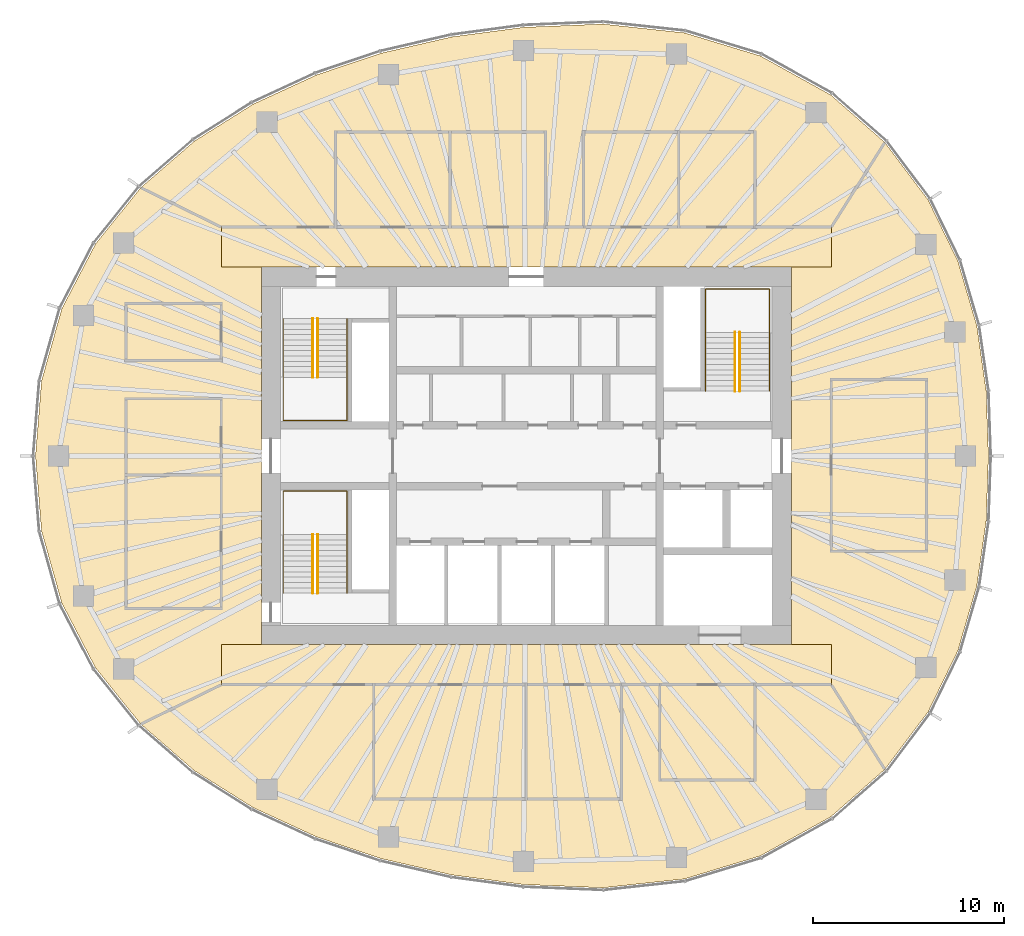
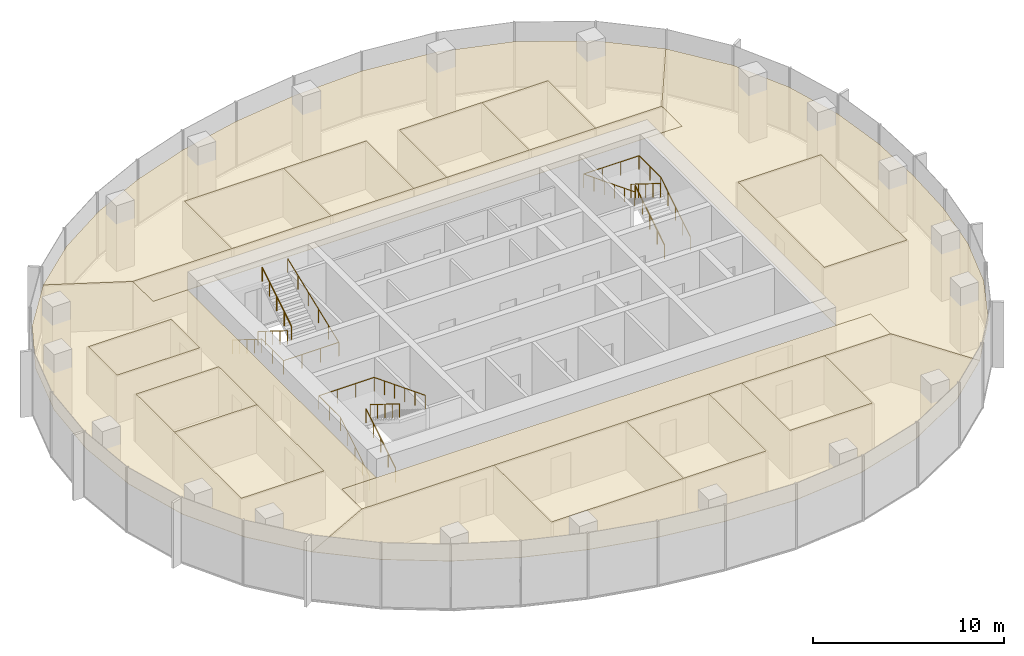
# One storey, part 11 of 11: 17 coverings, 9 railings.
"""IFC4 building model written with IfcOpenShell, lengths in metres."""

from ifc_helpers import new_model, si_unit, direction, frame, origin, origin_2d, place, context, subcontext, project, spatial, polyline, circle, outline, extrude, material, layer, layer_set, type_object, element, save


model = new_model("IFC4")

# Units and contexts
model_context = context("Model", 3, precision=1e-05, world=origin(), true_north=direction((0.0, 1.0)))
body_context = subcontext(model_context, "Body", "Model", "MODEL_VIEW")
ifc_project = project(units=[si_unit("LENGTHUNIT", "METRE"), si_unit("AREAUNIT", "SQUARE_METRE"), si_unit("VOLUMEUNIT", "CUBIC_METRE"), si_unit("PLANEANGLEUNIT", "RADIAN"), si_unit("MASSUNIT", "GRAM", prefix="KILO")], contexts=[model_context])

# Site, building, storey
site_placement = place(None, origin())
site = spatial("IfcSite", under=ifc_project, at=site_placement, CompositionType="ELEMENT")
building_placement = place(site_placement, origin())
building = spatial("IfcBuilding", under=site, at=building_placement, Name="Ghaith Harvest Tower", CompositionType="ELEMENT")
storey_placement = place(building_placement, frame((0.0, 0.0, 283.800048828125)))
storey = spatial("IfcBuildingStorey", under=building, at=storey_placement, Name="L63", CompositionType="ELEMENT", Elevation=283.800048828125)

# Coverings
ifc_material_1 = material(Name="Mineral fibre ceiling tile", Category="gypsum")
ifc_layer = layer(ifc_material_1, 0.02490234375)
ifc_layer_set = layer_set([ifc_layer], Name="CEILING C2")
covering_type = type_object("IfcCoveringType", Name="CEILING C2", PredefinedType="CEILING", material=ifc_layer_set)
covering_1_placement = place(storey_placement, frame((0.0, 0.0, 3.0)))
element("IfcCovering", 1, at=covering_1_placement, inside=storey, type_object=covering_type, Name="Ceiling L63-01", PredefinedType="CEILING", context=body_context, shape_type="SweptSolid", body=[
    extrude(outline(polyline([(-8.0, -18.0), (0.0, -18.0), (0.0, -12.0), (-8.0, -12.0), (-8.0, -18.0)])), origin(), (0.0, 0.0, 1.0), 0.02490234375),
])
covering_2_placement = place(storey_placement, frame((0.0, 0.0, 3.0)))
element("IfcCovering", 2, at=covering_2_placement, inside=storey, type_object=covering_type, Name="Ceiling L63-02", PredefinedType="CEILING", context=body_context, shape_type="SweptSolid", body=[
    extrude(outline(polyline([(0.0, -18.0), (5.0, -18.0), (5.0, -12.0), (0.0, -12.0), (0.0, -18.0)])), origin(), (0.0, 0.0, 1.0), 0.02490234375),
])
covering_3_placement = place(storey_placement, frame((0.0, 0.0, 3.0)))
element("IfcCovering", 3, at=covering_3_placement, inside=storey, type_object=covering_type, Name="Ceiling L63-03", PredefinedType="CEILING", context=body_context, shape_type="SweptSolid", body=[
    extrude(outline(polyline([(7.0, -17.0), (12.0, -17.0), (12.0, -12.0), (7.0, -12.0), (7.0, -17.0)])), origin(), (0.0, 0.0, 1.0), 0.02490234375),
])
covering_4_placement = place(storey_placement, frame((0.0, 0.0, 3.0)))
element("IfcCovering", 4, at=covering_4_placement, inside=storey, type_object=covering_type, Name="Ceiling L63-04", PredefinedType="CEILING", context=body_context, shape_type="SweptSolid", body=[
    extrude(outline(polyline([(-21.0, -8.0), (-16.0, -8.0), (-16.0, -1.0), (-21.0, -1.0), (-21.0, -8.0)])), origin(), (0.0, 0.0, 1.0), 0.02490234375),
])
covering_5_placement = place(storey_placement, frame((0.0, 0.0, 3.0)))
element("IfcCovering", 5, at=covering_5_placement, inside=storey, type_object=covering_type, Name="Ceiling L63-05", PredefinedType="CEILING", context=body_context, shape_type="SweptSolid", body=[
    extrude(outline(polyline([(-21.0, -1.0), (-16.0, -1.0), (-16.0, 3.0), (-21.0, 3.0), (-21.0, -1.0)])), origin(), (0.0, 0.0, 1.0), 0.02490234375),
])
covering_6_placement = place(storey_placement, frame((0.0, 0.0, 3.0)))
element("IfcCovering", 6, at=covering_6_placement, inside=storey, type_object=covering_type, Name="Ceiling L63-06", PredefinedType="CEILING", context=body_context, shape_type="SweptSolid", body=[
    extrude(outline(polyline([(-10.0, 12.0), (-4.0, 12.0), (-4.0, 17.0), (-10.0, 17.0), (-10.0, 12.0)])), origin(), (0.0, 0.0, 1.0), 0.02490234375),
])
covering_7_placement = place(storey_placement, frame((0.0, 0.0, 3.0)))
element("IfcCovering", 7, at=covering_7_placement, inside=storey, type_object=covering_type, Name="Ceiling L63-07", PredefinedType="CEILING", context=body_context, shape_type="SweptSolid", body=[
    extrude(outline(polyline([(-4.0, 12.0), (1.0, 12.0), (1.0, 17.0), (-4.0, 17.0), (-4.0, 12.0)])), origin(), (0.0, 0.0, 1.0), 0.02490234375),
])
covering_8_placement = place(storey_placement, frame((0.0, 0.0, 3.0)))
element("IfcCovering", 8, at=covering_8_placement, inside=storey, type_object=covering_type, Name="Ceiling L63-08", PredefinedType="CEILING", context=body_context, shape_type="SweptSolid", body=[
    extrude(outline(polyline([(3.0, 12.0), (8.0, 12.0), (8.0, 17.0), (3.0, 17.0), (3.0, 12.0)])), origin(), (0.0, 0.0, 1.0), 0.02490234375),
])
covering_9_placement = place(storey_placement, frame((0.0, 0.0, 3.0)))
element("IfcCovering", 9, at=covering_9_placement, inside=storey, type_object=covering_type, Name="Ceiling L63-09", PredefinedType="CEILING", context=body_context, shape_type="SweptSolid", body=[
    extrude(outline(polyline([(8.0, 12.0), (12.0, 12.0), (12.0, 17.0), (8.0, 17.0), (8.0, 12.0)])), origin(), (0.0, 0.0, 1.0), 0.02490234375),
])
covering_10_placement = place(storey_placement, frame((0.0, 0.0, 3.0)))
element("IfcCovering", 10, at=covering_10_placement, inside=storey, type_object=covering_type, Name="Ceiling L63-10", PredefinedType="CEILING", context=body_context, shape_type="SweptSolid", body=[
    extrude(outline(polyline([(16.0, -5.0), (21.0, -5.0), (21.0, 4.0), (16.0, 4.0), (16.0, -5.0)])), origin(), (0.0, 0.0, 1.0), 0.02490234375),
])
covering_11_placement = place(storey_placement, frame((0.0, 0.0, 3.0)))
element("IfcCovering", 11, at=covering_11_placement, inside=storey, type_object=covering_type, Name="Ceiling L63-11", PredefinedType="CEILING", context=body_context, shape_type="SweptSolid", body=[
    extrude(outline(polyline([(-21.0, 5.0), (-16.0, 5.0), (-16.0, 8.0), (-21.0, 8.0), (-21.0, 5.0)])), origin(), (0.0, 0.0, 1.0), 0.02490234375),
])
covering_12_placement = place(storey_placement, frame((0.0, 0.0, 3.0)))
element("IfcCovering", 12, at=covering_12_placement, inside=storey, type_object=covering_type, Name="Ceiling L63-C1", PredefinedType="CEILING", context=body_context, shape_type="SweptSolid", body=[
    extrude(outline(polyline([(16.0, 9.89990234375), (-16.0, 9.89990234375), (-16.0, 12.0), (16.0, 12.0), (16.0, 9.89990234375)])), origin(), (0.0, 0.0, 1.0), 0.02490234375),
])
covering_13_placement = place(storey_placement, frame((0.0, 0.0, 3.0)))
element("IfcCovering", 13, at=covering_13_placement, inside=storey, type_object=covering_type, Name="Ceiling L63-C2", PredefinedType="CEILING", context=body_context, shape_type="SweptSolid", body=[
    extrude(outline(polyline([(-16.0, -9.89990234375), (16.0, -9.89990234375), (16.0, -12.0), (-16.0, -12.0), (-16.0, -9.89990234375)])), origin(), (0.0, 0.0, 1.0), 0.02490234375),
])
covering_14_placement = place(storey_placement, frame((0.0, 0.0, 3.0)))
element("IfcCovering", 14, at=covering_14_placement, inside=storey, type_object=covering_type, Name="Ceiling L63-N1", PredefinedType="CEILING", context=body_context, shape_type="SweptSolid", body=[
    extrude(outline(polyline([(-17.40771484375, 16.518310546875), (-14.331298828125, 18.452880859375), (-11.009521484375, 19.98779296875), (-7.6298828125, 21.12548828125), (-3.92529296875, 21.98046875), (-0.15380859375, 22.486083984375), (4.016845703125, 22.658447265625), (8.2978515625, 22.1962890625), (12.273681640625, 20.98828125), (15.971923828125, 18.940185546875), (18.810791015625, 16.4482421875), (16.0, 12.0), (12.0, 12.0), (12.0, 17.0), (3.0, 17.0), (3.0, 12.0), (1.0, 12.0), (1.0, 17.0), (-10.0, 17.0), (-10.0, 12.0), (-16.0, 12.0), (-20.225830078125, 14.0732421875), (-17.40771484375, 16.518310546875)])), origin(), (0.0, 0.0, 1.0), 0.02490234375),
])
covering_15_placement = place(storey_placement, frame((0.0, 0.0, 3.0)))
element("IfcCovering", 15, at=covering_15_placement, inside=storey, type_object=covering_type, Name="Ceiling L63-E1", PredefinedType="CEILING", context=body_context, shape_type="SweptSolid", body=[
    extrude(outline(polyline([(21.087890625, 13.42041015625), (22.644775390625, 10.222900390625), (23.6376953125, 6.831787109375), (24.129150390625, 3.4169921875), (24.25, 0.0), (24.129150390625, -3.4169921875), (23.6376953125, -6.831787109375), (22.644775390625, -10.222900390625), (21.087890625, -13.42041015625), (18.810791015625, -16.4482421875), (16.0, -12.0), (16.0, -9.89990234375), (13.89990234375, -9.89990234375), (13.89990234375, 9.89990234375), (16.0, 9.89990234375), (16.0, 12.0), (18.810791015625, 16.4482421875), (21.087890625, 13.42041015625)]), holes=[polyline([(16.0, -5.0), (21.0, -5.0), (21.0, 4.0), (16.0, 4.0), (16.0, -5.0)])]), origin(), (0.0, 0.0, 1.0), 0.02490234375),
])
covering_16_placement = place(storey_placement, frame((0.0, 0.0, 3.0)))
element("IfcCovering", 16, at=covering_16_placement, inside=storey, type_object=covering_type, Name="Ceiling L63-S1", PredefinedType="CEILING", context=body_context, shape_type="SweptSolid", body=[
    extrude(outline(polyline([(-14.331298828125, -18.452880859375), (-17.40771484375, -16.518310546875), (-20.225830078125, -14.0732421875), (-16.0, -12.0), (-8.0, -12.0), (-8.0, -18.0), (5.0, -18.0), (5.0, -12.0), (7.0, -12.0), (7.0, -17.0), (12.0, -17.0), (12.0, -12.0), (16.0, -12.0), (18.810791015625, -16.4482421875), (15.971923828125, -18.940185546875), (12.273681640625, -20.98828125), (8.2978515625, -22.1962890625), (4.016845703125, -22.658447265625), (-0.15380859375, -22.486083984375), (-3.92529296875, -21.98046875), (-7.6298828125, -21.12548828125), (-11.009521484375, -19.98779296875), (-14.331298828125, -18.452880859375)])), origin(), (0.0, 0.0, 1.0), 0.02490234375),
])
covering_17_placement = place(storey_placement, frame((0.0, 0.0, 3.0)))
element("IfcCovering", 17, at=covering_17_placement, inside=storey, type_object=covering_type, Name="Ceiling L63-W1", PredefinedType="CEILING", context=body_context, shape_type="SweptSolid", body=[
    extrude(outline(polyline([(-22.5986328125, -11.12353515625), (-24.368408203125, -7.722900390625), (-25.43310546875, -3.93359375), (-25.75, 0.0), (-25.43310546875, 3.93359375), (-24.368408203125, 7.722900390625), (-22.5986328125, 11.12353515625), (-20.225830078125, 14.0732421875), (-16.0, 12.0), (-16.0, 9.89990234375), (-13.89990234375, 9.89990234375), (-13.89990234375, -9.89990234375), (-16.0, -9.89990234375), (-16.0, -12.0), (-20.225830078125, -14.0732421875), (-22.5986328125, -11.12353515625)]), holes=[polyline([(-21.0, 3.0), (-21.0, -8.0), (-16.0, -8.0), (-16.0, 3.0), (-21.0, 3.0)]), polyline([(-21.0, 8.0), (-21.0, 5.0), (-16.0, 5.0), (-16.0, 8.0), (-21.0, 8.0)])]), origin(), (0.0, 0.0, 1.0), 0.02490234375),
])

# Railings
ifc_material_2 = material(Name="Steel, black powder-coated", Category="steel")
railing_type = type_object("IfcRailingType", Name="HANDRAIL HR1", PredefinedType="HANDRAIL", material=ifc_material_2)
railing_1_placement = place(storey_placement, frame((-11.199951171875, 7.199951171875, 0.175048828125)))
element("IfcRailing", 18, at=railing_1_placement, inside=storey, type_object=railing_type, Name="Handrail HR1 stair ST1 L63 flight 1 inner", PredefinedType="HANDRAIL", context=body_context, shape_type="SweptSolid", body=[
    extrude(circle(Radius=0.02392578125, at=origin_2d()), frame((0.0, 0.0, 0.8759765625), z_axis=(0.0, -0.848009633417, 0.529980812513), x_axis=(1.0, 0.0, 0.0)), (0.0, 0.0, 1.0), 3.6318359375),
    extrude(circle(Radius=0.02099609375, at=origin_2d()), origin(), (0.0, 0.0, 1.0), 0.851806640625),
    extrude(circle(Radius=0.02099609375, at=origin_2d()), frame((0.0, -0.77001953125, 0.481201171875)), (0.0, 0.0, 1.0), 0.851806640625),
    extrude(circle(Radius=0.02099609375, at=origin_2d()), frame((0.0, -1.5400390625, 0.96240234375)), (0.0, 0.0, 1.0), 0.851806640625),
    extrude(circle(Radius=0.02099609375, at=origin_2d()), frame((0.0, -2.309814453125, 1.443603515625)), (0.0, 0.0, 1.0), 0.851806640625),
    extrude(circle(Radius=0.02099609375, at=origin_2d()), frame((0.0, -3.079833984375, 1.9248046875)), (0.0, 0.0, 1.0), 0.851806640625),
])
railing_2_placement = place(storey_placement, frame((-10.949951171875, 4.1201171875, 2.27490234375)))
element("IfcRailing", 19, at=railing_2_placement, inside=storey, type_object=railing_type, Name="Handrail HR1 stair ST1 L63 flight 2 inner", PredefinedType="HANDRAIL", context=body_context, shape_type="SweptSolid", body=[
    extrude(circle(Radius=0.02392578125, at=origin_2d()), frame((0.0, 0.0, 0.8759765625), z_axis=(0.0, 0.847979421464, 0.530029150871), x_axis=(-1.0, 0.0, 0.0)), (0.0, 0.0, 1.0), 3.632080078125),
    extrude(circle(Radius=0.02099609375, at=origin_2d()), origin(), (0.0, 0.0, 1.0), 0.851806640625),
    extrude(circle(Radius=0.02099609375, at=origin_2d()), frame((0.0, 0.77001953125, 0.481201171875)), (0.0, 0.0, 1.0), 0.851806640625),
    extrude(circle(Radius=0.02099609375, at=origin_2d()), frame((0.0, 1.5400390625, 0.96240234375)), (0.0, 0.0, 1.0), 0.851806640625),
    extrude(circle(Radius=0.02099609375, at=origin_2d()), frame((0.0, 2.309814453125, 1.44384765625)), (0.0, 0.0, 1.0), 0.851806640625),
    extrude(circle(Radius=0.02099609375, at=origin_2d()), frame((0.0, 3.079833984375, 1.925048828125)), (0.0, 0.0, 1.0), 0.851806640625),
])
railing_3_placement = place(storey_placement, frame((-12.75, 7.199951171875, 0.175048828125)))
element("IfcRailing", 20, at=railing_3_placement, inside=storey, type_object=railing_type, Name="Handrail HR1 stair ST1 L63 wall side", PredefinedType="HANDRAIL", context=body_context, shape_type="SweptSolid", body=[
    extrude(circle(Radius=0.02392578125, at=origin_2d()), frame((0.0, 0.0, 0.8759765625), z_axis=(0.0, -0.848009633417, 0.529980812513), x_axis=(1.0, 0.0, 0.0)), (0.0, 0.0, 1.0), 3.6318359375),
    extrude(circle(Radius=0.02392578125, at=origin_2d()), frame((0.0, -3.079833984375, 2.80078125), z_axis=(0.0, -1.0, 0.0), x_axis=(1.0, 0.0, 0.0)), (0.0, 0.0, 1.0), 2.27001953125),
    extrude(circle(Radius=0.02392578125, at=origin_2d()), frame((0.0, -5.349853515625, 2.80078125), z_axis=(1.0, 0.0, 0.0), x_axis=(0.0, 1.0, 0.0)), (0.0, 0.0, 1.0), 3.35009765625),
    extrude(circle(Radius=0.02392578125, at=origin_2d()), frame((3.35009765625, -5.349853515625, 2.80078125), z_axis=(0.0, 0.930848013298, 0.36540659017), x_axis=(-1.0, 0.0, 0.0)), (0.0, 0.0, 1.0), 5.747314453125),
    extrude(circle(Radius=0.02099609375, at=origin_2d()), origin(), (0.0, 0.0, 1.0), 0.851806640625),
    extrude(circle(Radius=0.02099609375, at=origin_2d()), frame((0.0, -0.77001953125, 0.481201171875)), (0.0, 0.0, 1.0), 0.851806640625),
    extrude(circle(Radius=0.02099609375, at=origin_2d()), frame((0.0, -1.5400390625, 0.96240234375)), (0.0, 0.0, 1.0), 0.851806640625),
    extrude(circle(Radius=0.02099609375, at=origin_2d()), frame((0.0, -2.309814453125, 1.443603515625)), (0.0, 0.0, 1.0), 0.851806640625),
    extrude(circle(Radius=0.02099609375, at=origin_2d()), frame((0.0, -3.079833984375, 1.9248046875)), (0.0, 0.0, 1.0), 0.851806640625),
    extrude(circle(Radius=0.02099609375, at=origin_2d()), frame((0.0, -4.21484375, 1.9248046875)), (0.0, 0.0, 1.0), 0.851806640625),
    extrude(circle(Radius=0.02099609375, at=origin_2d()), frame((0.0, -5.349853515625, 1.9248046875)), (0.0, 0.0, 1.0), 0.851806640625),
    extrude(circle(Radius=0.02099609375, at=origin_2d()), frame((1.11669921875, -5.349853515625, 1.9248046875)), (0.0, 0.0, 1.0), 0.851806640625),
    extrude(circle(Radius=0.02099609375, at=origin_2d()), frame((2.2333984375, -5.349853515625, 1.9248046875)), (0.0, 0.0, 1.0), 0.851806640625),
    extrude(circle(Radius=0.02099609375, at=origin_2d()), frame((3.35009765625, -5.349853515625, 1.9248046875)), (0.0, 0.0, 1.0), 0.851806640625),
    extrude(circle(Radius=0.02099609375, at=origin_2d()), frame((3.35009765625, -4.27978515625, 2.3447265625)), (0.0, 0.0, 1.0), 0.851806640625),
    extrude(circle(Radius=0.02099609375, at=origin_2d()), frame((3.35009765625, -3.2099609375, 2.764892578125)), (0.0, 0.0, 1.0), 0.851806640625),
    extrude(circle(Radius=0.02099609375, at=origin_2d()), frame((3.35009765625, -2.139892578125, 3.184814453125)), (0.0, 0.0, 1.0), 0.851806640625),
    extrude(circle(Radius=0.02099609375, at=origin_2d()), frame((3.35009765625, -1.070068359375, 3.60498046875)), (0.0, 0.0, 1.0), 0.851806640625),
    extrude(circle(Radius=0.02099609375, at=origin_2d()), frame((3.35009765625, 0.0, 4.02490234375)), (0.0, 0.0, 1.0), 0.851806640625),
])
railing_4_placement = place(storey_placement, frame((-11.199951171875, -7.199951171875, 0.175048828125)))
element("IfcRailing", 21, at=railing_4_placement, inside=storey, type_object=railing_type, Name="Handrail HR1 stair ST3 L63 flight 1 inner", PredefinedType="HANDRAIL", context=body_context, shape_type="SweptSolid", body=[
    extrude(circle(Radius=0.02392578125, at=origin_2d()), frame((0.0, 0.0, 0.8759765625), z_axis=(0.0, 0.848009633417, 0.529980812513), x_axis=(-1.0, 0.0, 0.0)), (0.0, 0.0, 1.0), 3.6318359375),
    extrude(circle(Radius=0.02099609375, at=origin_2d()), origin(), (0.0, 0.0, 1.0), 0.851806640625),
    extrude(circle(Radius=0.02099609375, at=origin_2d()), frame((0.0, 0.77001953125, 0.481201171875)), (0.0, 0.0, 1.0), 0.851806640625),
    extrude(circle(Radius=0.02099609375, at=origin_2d()), frame((0.0, 1.5400390625, 0.96240234375)), (0.0, 0.0, 1.0), 0.851806640625),
    extrude(circle(Radius=0.02099609375, at=origin_2d()), frame((0.0, 2.309814453125, 1.443603515625)), (0.0, 0.0, 1.0), 0.851806640625),
    extrude(circle(Radius=0.02099609375, at=origin_2d()), frame((0.0, 3.079833984375, 1.9248046875)), (0.0, 0.0, 1.0), 0.851806640625),
])
railing_5_placement = place(storey_placement, frame((-10.949951171875, -4.1201171875, 2.27490234375)))
element("IfcRailing", 22, at=railing_5_placement, inside=storey, type_object=railing_type, Name="Handrail HR1 stair ST3 L63 flight 2 inner", PredefinedType="HANDRAIL", context=body_context, shape_type="SweptSolid", body=[
    extrude(circle(Radius=0.02392578125, at=origin_2d()), frame((0.0, 0.0, 0.8759765625), z_axis=(0.0, -0.847979421464, 0.530029150871), x_axis=(1.0, 0.0, 0.0)), (0.0, 0.0, 1.0), 3.632080078125),
    extrude(circle(Radius=0.02099609375, at=origin_2d()), origin(), (0.0, 0.0, 1.0), 0.851806640625),
    extrude(circle(Radius=0.02099609375, at=origin_2d()), frame((0.0, -0.77001953125, 0.481201171875)), (0.0, 0.0, 1.0), 0.851806640625),
    extrude(circle(Radius=0.02099609375, at=origin_2d()), frame((0.0, -1.5400390625, 0.96240234375)), (0.0, 0.0, 1.0), 0.851806640625),
    extrude(circle(Radius=0.02099609375, at=origin_2d()), frame((0.0, -2.309814453125, 1.44384765625)), (0.0, 0.0, 1.0), 0.851806640625),
    extrude(circle(Radius=0.02099609375, at=origin_2d()), frame((0.0, -3.079833984375, 1.925048828125)), (0.0, 0.0, 1.0), 0.851806640625),
])
railing_6_placement = place(storey_placement, frame((-12.75, -7.199951171875, 0.175048828125)))
element("IfcRailing", 23, at=railing_6_placement, inside=storey, type_object=railing_type, Name="Handrail HR1 stair ST3 L63 wall side", PredefinedType="HANDRAIL", context=body_context, shape_type="SweptSolid", body=[
    extrude(circle(Radius=0.02392578125, at=origin_2d()), frame((0.0, 0.0, 0.8759765625), z_axis=(0.0, 0.848009633417, 0.529980812513), x_axis=(-1.0, 0.0, 0.0)), (0.0, 0.0, 1.0), 3.6318359375),
    extrude(circle(Radius=0.02392578125, at=origin_2d()), frame((0.0, 3.079833984375, 2.80078125), z_axis=(0.0, 1.0, 0.0), x_axis=(-1.0, 0.0, 0.0)), (0.0, 0.0, 1.0), 2.27001953125),
    extrude(circle(Radius=0.02392578125, at=origin_2d()), frame((0.0, 5.349853515625, 2.80078125), z_axis=(1.0, 0.0, 0.0), x_axis=(0.0, 1.0, 0.0)), (0.0, 0.0, 1.0), 3.35009765625),
    extrude(circle(Radius=0.02392578125, at=origin_2d()), frame((3.35009765625, 5.349853515625, 2.80078125), z_axis=(0.0, -0.930848013298, 0.36540659017), x_axis=(1.0, 0.0, 0.0)), (0.0, 0.0, 1.0), 5.747314453125),
    extrude(circle(Radius=0.02099609375, at=origin_2d()), origin(), (0.0, 0.0, 1.0), 0.851806640625),
    extrude(circle(Radius=0.02099609375, at=origin_2d()), frame((0.0, 0.77001953125, 0.481201171875)), (0.0, 0.0, 1.0), 0.851806640625),
    extrude(circle(Radius=0.02099609375, at=origin_2d()), frame((0.0, 1.5400390625, 0.96240234375)), (0.0, 0.0, 1.0), 0.851806640625),
    extrude(circle(Radius=0.02099609375, at=origin_2d()), frame((0.0, 2.309814453125, 1.443603515625)), (0.0, 0.0, 1.0), 0.851806640625),
    extrude(circle(Radius=0.02099609375, at=origin_2d()), frame((0.0, 3.079833984375, 1.9248046875)), (0.0, 0.0, 1.0), 0.851806640625),
    extrude(circle(Radius=0.02099609375, at=origin_2d()), frame((0.0, 4.21484375, 1.9248046875)), (0.0, 0.0, 1.0), 0.851806640625),
    extrude(circle(Radius=0.02099609375, at=origin_2d()), frame((0.0, 5.349853515625, 1.9248046875)), (0.0, 0.0, 1.0), 0.851806640625),
    extrude(circle(Radius=0.02099609375, at=origin_2d()), frame((1.11669921875, 5.349853515625, 1.9248046875)), (0.0, 0.0, 1.0), 0.851806640625),
    extrude(circle(Radius=0.02099609375, at=origin_2d()), frame((2.2333984375, 5.349853515625, 1.9248046875)), (0.0, 0.0, 1.0), 0.851806640625),
    extrude(circle(Radius=0.02099609375, at=origin_2d()), frame((3.35009765625, 5.349853515625, 1.9248046875)), (0.0, 0.0, 1.0), 0.851806640625),
    extrude(circle(Radius=0.02099609375, at=origin_2d()), frame((3.35009765625, 4.27978515625, 2.3447265625)), (0.0, 0.0, 1.0), 0.851806640625),
    extrude(circle(Radius=0.02099609375, at=origin_2d()), frame((3.35009765625, 3.2099609375, 2.764892578125)), (0.0, 0.0, 1.0), 0.851806640625),
    extrude(circle(Radius=0.02099609375, at=origin_2d()), frame((3.35009765625, 2.139892578125, 3.184814453125)), (0.0, 0.0, 1.0), 0.851806640625),
    extrude(circle(Radius=0.02099609375, at=origin_2d()), frame((3.35009765625, 1.070068359375, 3.60498046875)), (0.0, 0.0, 1.0), 0.851806640625),
    extrude(circle(Radius=0.02099609375, at=origin_2d()), frame((3.35009765625, 0.0, 4.02490234375)), (0.0, 0.0, 1.0), 0.851806640625),
])
railing_7_placement = place(storey_placement, frame((11.199951171875, 3.39990234375, 0.175048828125)))
element("IfcRailing", 24, at=railing_7_placement, inside=storey, type_object=railing_type, Name="Handrail HR1 stair ST2 L63 flight 1 inner", PredefinedType="HANDRAIL", context=body_context, shape_type="SweptSolid", body=[
    extrude(circle(Radius=0.02392578125, at=origin_2d()), frame((0.0, 0.0, 0.8759765625), z_axis=(0.0, 0.848028513186, 0.529950602248), x_axis=(-1.0, 0.0, 0.0)), (0.0, 0.0, 1.0), 3.632080078125),
    extrude(circle(Radius=0.02099609375, at=origin_2d()), origin(), (0.0, 0.0, 1.0), 0.851806640625),
    extrude(circle(Radius=0.02099609375, at=origin_2d()), frame((0.0, 0.77001953125, 0.481201171875)), (0.0, 0.0, 1.0), 0.851806640625),
    extrude(circle(Radius=0.02099609375, at=origin_2d()), frame((0.0, 1.5400390625, 0.96240234375)), (0.0, 0.0, 1.0), 0.851806640625),
    extrude(circle(Radius=0.02099609375, at=origin_2d()), frame((0.0, 2.31005859375, 1.443603515625)), (0.0, 0.0, 1.0), 0.851806640625),
    extrude(circle(Radius=0.02099609375, at=origin_2d()), frame((0.0, 3.080078125, 1.9248046875)), (0.0, 0.0, 1.0), 0.851806640625),
])
railing_8_placement = place(storey_placement, frame((10.949951171875, 6.47998046875, 2.27490234375)))
element("IfcRailing", 25, at=railing_8_placement, inside=storey, type_object=railing_type, Name="Handrail HR1 stair ST2 L63 flight 2 inner", PredefinedType="HANDRAIL", context=body_context, shape_type="SweptSolid", body=[
    extrude(circle(Radius=0.02392578125, at=origin_2d()), frame((0.0, 0.0, 0.8759765625), z_axis=(0.0, -0.847998304005, 0.529998940003), x_axis=(1.0, 0.0, 0.0)), (0.0, 0.0, 1.0), 3.632080078125),
    extrude(circle(Radius=0.02099609375, at=origin_2d()), origin(), (0.0, 0.0, 1.0), 0.851806640625),
    extrude(circle(Radius=0.02099609375, at=origin_2d()), frame((0.0, -0.77001953125, 0.481201171875)), (0.0, 0.0, 1.0), 0.851806640625),
    extrude(circle(Radius=0.02099609375, at=origin_2d()), frame((0.0, -1.5400390625, 0.96240234375)), (0.0, 0.0, 1.0), 0.851806640625),
    extrude(circle(Radius=0.02099609375, at=origin_2d()), frame((0.0, -2.31005859375, 1.44384765625)), (0.0, 0.0, 1.0), 0.851806640625),
    extrude(circle(Radius=0.02099609375, at=origin_2d()), frame((0.0, -3.080078125, 1.925048828125)), (0.0, 0.0, 1.0), 0.851806640625),
])
railing_9_placement = place(storey_placement, frame((12.75, 3.39990234375, 0.175048828125)))
element("IfcRailing", 26, at=railing_9_placement, inside=storey, type_object=railing_type, Name="Handrail HR1 stair ST2 L63 wall side", PredefinedType="HANDRAIL", context=body_context, shape_type="SweptSolid", body=[
    extrude(circle(Radius=0.02392578125, at=origin_2d()), frame((0.0, 0.0, 0.8759765625), z_axis=(0.0, 0.848028513186, 0.529950602248), x_axis=(-1.0, 0.0, 0.0)), (0.0, 0.0, 1.0), 3.632080078125),
    extrude(circle(Radius=0.02392578125, at=origin_2d()), frame((0.0, 3.080078125, 2.80078125), z_axis=(0.0, 1.0, 0.0), x_axis=(-1.0, 0.0, 0.0)), (0.0, 0.0, 1.0), 2.27001953125),
    extrude(circle(Radius=0.02392578125, at=origin_2d()), frame((0.0, 5.35009765625, 2.80078125), z_axis=(-1.0, 0.0, 0.0), x_axis=(0.0, -1.0, 0.0)), (0.0, 0.0, 1.0), 3.35009765625),
    extrude(circle(Radius=0.02392578125, at=origin_2d()), frame((-3.35009765625, 5.35009765625, 2.80078125), z_axis=(0.0, -0.930853684876, 0.365392141887), x_axis=(1.0, 0.0, 0.0)), (0.0, 0.0, 1.0), 5.74755859375),
    extrude(circle(Radius=0.02099609375, at=origin_2d()), origin(), (0.0, 0.0, 1.0), 0.851806640625),
    extrude(circle(Radius=0.02099609375, at=origin_2d()), frame((0.0, 0.77001953125, 0.481201171875)), (0.0, 0.0, 1.0), 0.851806640625),
    extrude(circle(Radius=0.02099609375, at=origin_2d()), frame((0.0, 1.5400390625, 0.96240234375)), (0.0, 0.0, 1.0), 0.851806640625),
    extrude(circle(Radius=0.02099609375, at=origin_2d()), frame((0.0, 2.31005859375, 1.443603515625)), (0.0, 0.0, 1.0), 0.851806640625),
    extrude(circle(Radius=0.02099609375, at=origin_2d()), frame((0.0, 3.080078125, 1.9248046875)), (0.0, 0.0, 1.0), 0.851806640625),
    extrude(circle(Radius=0.02099609375, at=origin_2d()), frame((0.0, 4.215087890625, 1.9248046875)), (0.0, 0.0, 1.0), 0.851806640625),
    extrude(circle(Radius=0.02099609375, at=origin_2d()), frame((0.0, 5.35009765625, 1.9248046875)), (0.0, 0.0, 1.0), 0.851806640625),
    extrude(circle(Radius=0.02099609375, at=origin_2d()), frame((-1.11669921875, 5.35009765625, 1.9248046875)), (0.0, 0.0, 1.0), 0.851806640625),
    extrude(circle(Radius=0.02099609375, at=origin_2d()), frame((-2.2333984375, 5.35009765625, 1.9248046875)), (0.0, 0.0, 1.0), 0.851806640625),
    extrude(circle(Radius=0.02099609375, at=origin_2d()), frame((-3.35009765625, 5.35009765625, 1.9248046875)), (0.0, 0.0, 1.0), 0.851806640625),
    extrude(circle(Radius=0.02099609375, at=origin_2d()), frame((-3.35009765625, 4.280029296875, 2.3447265625)), (0.0, 0.0, 1.0), 0.851806640625),
    extrude(circle(Radius=0.02099609375, at=origin_2d()), frame((-3.35009765625, 3.2099609375, 2.764892578125)), (0.0, 0.0, 1.0), 0.851806640625),
    extrude(circle(Radius=0.02099609375, at=origin_2d()), frame((-3.35009765625, 2.14013671875, 3.184814453125)), (0.0, 0.0, 1.0), 0.851806640625),
    extrude(circle(Radius=0.02099609375, at=origin_2d()), frame((-3.35009765625, 1.070068359375, 3.60498046875)), (0.0, 0.0, 1.0), 0.851806640625),
    extrude(circle(Radius=0.02099609375, at=origin_2d()), frame((-3.35009765625, 0.0, 4.02490234375)), (0.0, 0.0, 1.0), 0.851806640625),
])

save(model, "model.ifc")
